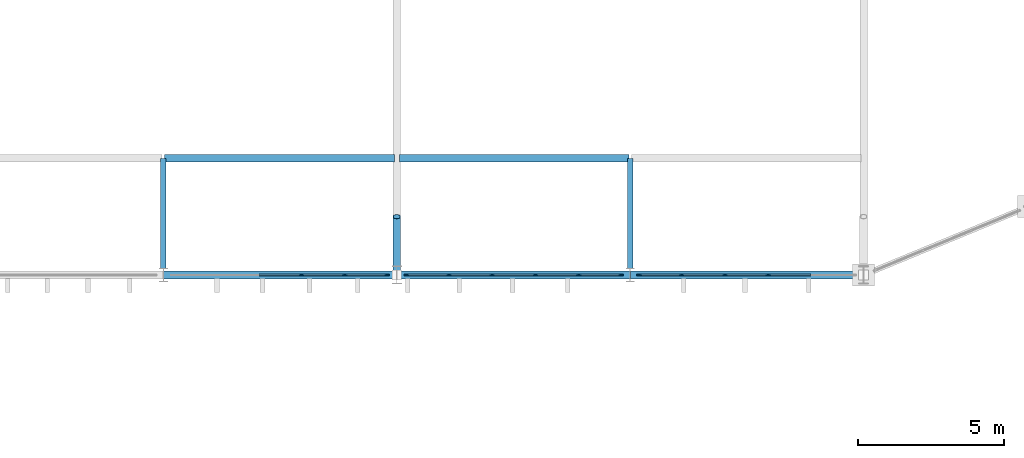
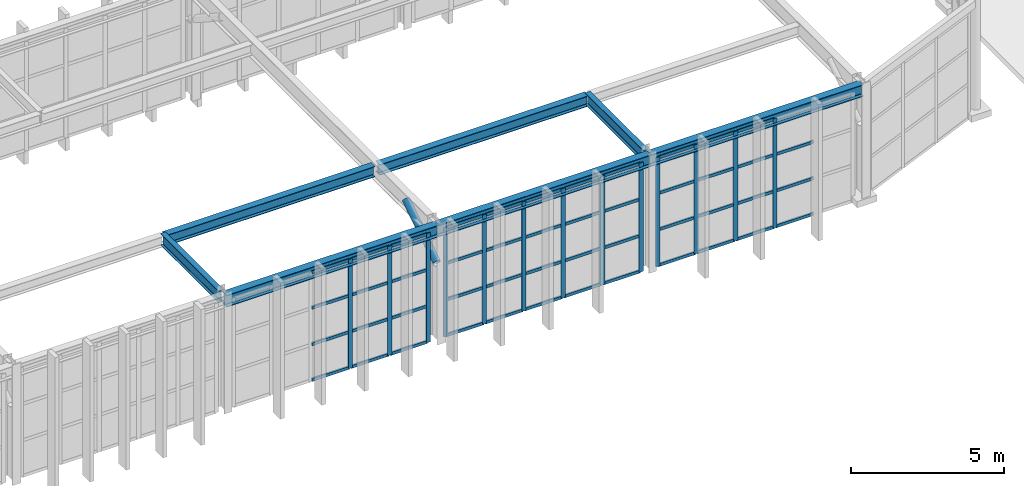
# One storey, part 30 of 61: 61 members, 7 beams, 3 elements without a shape of their own.
"""IFC4 building model written with IfcOpenShell, lengths in metres."""

from ifc_helpers import new_model, si_unit, direction, frame, origin, origin_2d, place, context, subcontext, project, spatial, rectangle, hollow_circle, i_section, extrude, material, material_profile, profile_set, type_object, element, aggregate, save


model = new_model("IFC4")

# Units and contexts
model_context = context("Model", 3, precision=1e-05, world=origin(), true_north=direction((0.0, 1.0)))
body_context = subcontext(model_context, "Body", "Model", "MODEL_VIEW")
ifc_project = project(units=[si_unit("LENGTHUNIT", "METRE"), si_unit("AREAUNIT", "SQUARE_METRE"), si_unit("VOLUMEUNIT", "CUBIC_METRE"), si_unit("PLANEANGLEUNIT", "RADIAN"), si_unit("MASSUNIT", "GRAM", prefix="KILO")], contexts=[model_context])

# Site, building, storey
site_placement = place(None, origin())
site = spatial("IfcSite", under=ifc_project, at=site_placement, CompositionType="ELEMENT")
building_placement = place(site_placement, origin())
building = spatial("IfcBuilding", under=site, at=building_placement, Name="Serraluz Foothill Cableway Terminal", CompositionType="ELEMENT")
storey_placement = place(building_placement, frame((0.0, 0.0, 15.0)))
storey = spatial("IfcBuildingStorey", under=building, at=storey_placement, Name="L03", CompositionType="ELEMENT", Elevation=15.0)

# Curtain wall, members
ifc_material_1 = material(Name="Architectural bronze alloy C28000", Category="aluminium")
curtain_wall_type_1 = type_object("IfcCurtainWallType", Name="TYP-CW-880X420", PredefinedType="NOTDEFINED", material=ifc_material_1)
curtain_wall_1_placement = place(storey_placement, origin())
curtain_wall_1 = element("IfcCurtainWall", 1, at=curtain_wall_1_placement, inside=storey, type_object=curtain_wall_type_1, Name="Ribbed Glazed Curtain Wall CW-V1S-L03-128", PredefinedType="NOTDEFINED")
ifc_material_profile_1 = material_profile(ifc_material_1, rectangle(XDim=0.06005859375, YDim=0.159912109375, at=origin_2d()), Name="ALU MULLION 60x160")
ifc_profile_set_1 = profile_set([ifc_material_profile_1], Name="Architectural bronze alloy C28000")
member_type_1 = type_object("IfcMemberType", Name="TYP-CW-MUL-60X160", PredefinedType="MULLION", material=ifc_profile_set_1)
member_1_placement = place(storey_placement, frame((135.66748046875, 56.0, 0.0), z_axis=(0.0, 0.0, 1.0), x_axis=(0.0, -1.0, 0.0)))
member_1 = element("IfcMember", 2, at=member_1_placement, type_object=member_type_1, Name="CW-19 mullion 1", PredefinedType="MULLION", context=body_context, shape_type="SweptSolid", body=[
    extrude(rectangle(XDim=0.06005859375, YDim=0.159912109375, at=origin_2d()), origin(), (0.0, 0.0, 1.0), 4.35009765625),
])
member_2_placement = place(storey_placement, frame((134.21435546875, 56.0, 0.0), z_axis=(0.0, 0.0, 1.0), x_axis=(0.0, -1.0, 0.0)))
member_2 = element("IfcMember", 3, at=member_2_placement, type_object=member_type_1, Name="CW-19 mullion 2", PredefinedType="MULLION", context=body_context, shape_type="SweptSolid", body=[
    extrude(rectangle(XDim=0.06005859375, YDim=0.159912109375, at=origin_2d()), origin(), (0.0, 0.0, 1.0), 4.35009765625),
])
member_3_placement = place(storey_placement, frame((132.731201171875, 56.0, 0.0), z_axis=(0.0, 0.0, 1.0), x_axis=(0.0, -1.0, 0.0)))
member_3 = element("IfcMember", 4, at=member_3_placement, type_object=member_type_1, Name="CW-19 mullion 3", PredefinedType="MULLION", context=body_context, shape_type="SweptSolid", body=[
    extrude(rectangle(XDim=0.06005859375, YDim=0.159912109375, at=origin_2d()), origin(), (0.0, 0.0, 1.0), 4.35009765625),
])

curtain_wall_type_2 = type_object("IfcCurtainWallType", Name="TYP-CW-920X440", PredefinedType="NOTDEFINED", material=ifc_material_1)
curtain_wall_2_placement = place(storey_placement, origin())
curtain_wall_2 = element("IfcCurtainWall", 5, at=curtain_wall_2_placement, inside=storey, type_object=curtain_wall_type_2, Name="Ribbed Glazed Curtain Wall CW-V1S-L03-136", PredefinedType="NOTDEFINED")
member_4_placement = place(storey_placement, frame((143.6884765625, 56.0, 0.0), z_axis=(0.0, 0.0, 1.0), x_axis=(0.0, -1.0, 0.0)))
member_4 = element("IfcMember", 6, at=member_4_placement, type_object=member_type_1, Name="CW-20 mullion 1", PredefinedType="MULLION", context=body_context, shape_type="SweptSolid", body=[
    extrude(rectangle(XDim=0.06005859375, YDim=0.159912109375, at=origin_2d()), origin(), (0.0, 0.0, 1.0), 4.35009765625),
])
member_5_placement = place(storey_placement, frame((142.2353515625, 56.0, 0.0), z_axis=(0.0, 0.0, 1.0), x_axis=(0.0, -1.0, 0.0)))
member_5 = element("IfcMember", 7, at=member_5_placement, type_object=member_type_1, Name="CW-20 mullion 2", PredefinedType="MULLION", context=body_context, shape_type="SweptSolid", body=[
    extrude(rectangle(XDim=0.06005859375, YDim=0.159912109375, at=origin_2d()), origin(), (0.0, 0.0, 1.0), 4.35009765625),
])
member_6_placement = place(storey_placement, frame((140.752197265625, 56.0, 0.0), z_axis=(0.0, 0.0, 1.0), x_axis=(0.0, -1.0, 0.0)))
member_6 = element("IfcMember", 8, at=member_6_placement, type_object=member_type_1, Name="CW-20 mullion 3", PredefinedType="MULLION", context=body_context, shape_type="SweptSolid", body=[
    extrude(rectangle(XDim=0.06005859375, YDim=0.159912109375, at=origin_2d()), origin(), (0.0, 0.0, 1.0), 4.35009765625),
])
member_7_placement = place(storey_placement, frame((139.268798828125, 56.0, 0.0), z_axis=(0.0, 0.0, 1.0), x_axis=(0.0, -1.0, 0.0)))
member_7 = element("IfcMember", 9, at=member_7_placement, type_object=member_type_1, Name="CW-20 mullion 4", PredefinedType="MULLION", context=body_context, shape_type="SweptSolid", body=[
    extrude(rectangle(XDim=0.06005859375, YDim=0.159912109375, at=origin_2d()), origin(), (0.0, 0.0, 1.0), 4.35009765625),
])
member_8_placement = place(storey_placement, frame((137.78564453125, 56.0, 0.0), z_axis=(0.0, 0.0, 1.0), x_axis=(0.0, -1.0, 0.0)))
member_8 = element("IfcMember", 10, at=member_8_placement, type_object=member_type_1, Name="CW-20 mullion 5", PredefinedType="MULLION", context=body_context, shape_type="SweptSolid", body=[
    extrude(rectangle(XDim=0.06005859375, YDim=0.159912109375, at=origin_2d()), origin(), (0.0, 0.0, 1.0), 4.35009765625),
])
member_9_placement = place(storey_placement, frame((136.33251953125, 56.0, 0.0), z_axis=(0.0, 0.0, 1.0), x_axis=(0.0, -1.0, 0.0)))
member_9 = element("IfcMember", 11, at=member_9_placement, type_object=member_type_1, Name="CW-20 mullion 6", PredefinedType="MULLION", context=body_context, shape_type="SweptSolid", body=[
    extrude(rectangle(XDim=0.06005859375, YDim=0.159912109375, at=origin_2d()), origin(), (0.0, 0.0, 1.0), 4.35009765625),
])

curtain_wall_type_3 = type_object("IfcCurtainWallType", Name="TYP-CW-1120X420", PredefinedType="NOTDEFINED", material=ifc_material_1)
curtain_wall_3_placement = place(storey_placement, origin())
curtain_wall_3 = element("IfcCurtainWall", 12, at=curtain_wall_3_placement, inside=storey, type_object=curtain_wall_type_3, Name="Ribbed Glazed Curtain Wall CW-V1S-L03-144", PredefinedType="NOTDEFINED")
member_10_placement = place(storey_placement, frame((148.731201171875, 56.0, 0.0), z_axis=(0.0, 0.0, 1.0), x_axis=(0.0, -1.0, 0.0)))
member_10 = element("IfcMember", 13, at=member_10_placement, type_object=member_type_1, Name="CW-21 mullion 3", PredefinedType="MULLION", context=body_context, shape_type="SweptSolid", body=[
    extrude(rectangle(XDim=0.06005859375, YDim=0.159912109375, at=origin_2d()), origin(), (0.0, 0.0, 1.0), 4.35009765625),
])
member_11_placement = place(storey_placement, frame((147.247802734375, 56.0, 0.0), z_axis=(0.0, 0.0, 1.0), x_axis=(0.0, -1.0, 0.0)))
member_11 = element("IfcMember", 14, at=member_11_placement, type_object=member_type_1, Name="CW-21 mullion 4", PredefinedType="MULLION", context=body_context, shape_type="SweptSolid", body=[
    extrude(rectangle(XDim=0.06005859375, YDim=0.159912109375, at=origin_2d()), origin(), (0.0, 0.0, 1.0), 4.35009765625),
])
member_12_placement = place(storey_placement, frame((145.7646484375, 56.0, 0.0), z_axis=(0.0, 0.0, 1.0), x_axis=(0.0, -1.0, 0.0)))
member_12 = element("IfcMember", 15, at=member_12_placement, type_object=member_type_1, Name="CW-21 mullion 5", PredefinedType="MULLION", context=body_context, shape_type="SweptSolid", body=[
    extrude(rectangle(XDim=0.06005859375, YDim=0.159912109375, at=origin_2d()), origin(), (0.0, 0.0, 1.0), 4.35009765625),
])
member_13_placement = place(storey_placement, frame((144.3115234375, 56.0, 0.0), z_axis=(0.0, 0.0, 1.0), x_axis=(0.0, -1.0, 0.0)))
member_13 = element("IfcMember", 16, at=member_13_placement, type_object=member_type_1, Name="CW-21 mullion 6", PredefinedType="MULLION", context=body_context, shape_type="SweptSolid", body=[
    extrude(rectangle(XDim=0.06005859375, YDim=0.159912109375, at=origin_2d()), origin(), (0.0, 0.0, 1.0), 4.35009765625),
])

# Member
ifc_material_profile_2 = material_profile(ifc_material_1, rectangle(XDim=0.06005859375, YDim=0.1201171875, at=origin_2d()), Name="ALU TRANSOM 60x120")
ifc_profile_set_2 = profile_set([ifc_material_profile_2], Name="Architectural bronze alloy C28000")
member_type_2 = type_object("IfcMemberType", Name="TYP-CW-TRN-60X120", PredefinedType="USERDEFINED", material=ifc_profile_set_2)
member_14_placement = place(storey_placement, frame((135.637451171875, 56.0, 0.030029296875), z_axis=(-1.0, 0.0, 0.0), x_axis=(0.0, -1.0, 0.0)))
member_14 = element("IfcMember", 17, at=member_14_placement, type_object=member_type_2, Name="CW-19 transom 1.1", ObjectType="TRANSOM", PredefinedType="USERDEFINED", context=body_context, shape_type="SweptSolid", body=[
    extrude(rectangle(XDim=0.06005859375, YDim=0.1201171875, at=origin_2d()), origin(), (0.0, 0.0, 1.0), 1.39306640625),
])

member_15_placement = place(storey_placement, frame((135.637451171875, 56.0, 1.449951171875), z_axis=(-1.0, 0.0, 0.0), x_axis=(0.0, -1.0, 0.0)))
member_15 = element("IfcMember", 18, at=member_15_placement, type_object=member_type_2, Name="CW-19 transom 1.2", ObjectType="TRANSOM", PredefinedType="USERDEFINED", context=body_context, shape_type="SweptSolid", body=[
    extrude(rectangle(XDim=0.06005859375, YDim=0.1201171875, at=origin_2d()), origin(), (0.0, 0.0, 1.0), 1.39306640625),
])

member_16_placement = place(storey_placement, frame((135.637451171875, 56.0, 2.89990234375), z_axis=(-1.0, 0.0, 0.0), x_axis=(0.0, -1.0, 0.0)))
member_16 = element("IfcMember", 19, at=member_16_placement, type_object=member_type_2, Name="CW-19 transom 1.3", ObjectType="TRANSOM", PredefinedType="USERDEFINED", context=body_context, shape_type="SweptSolid", body=[
    extrude(rectangle(XDim=0.06005859375, YDim=0.1201171875, at=origin_2d()), origin(), (0.0, 0.0, 1.0), 1.39306640625),
])

member_17_placement = place(storey_placement, frame((135.637451171875, 56.0, 4.320068359375), z_axis=(-1.0, 0.0, 0.0), x_axis=(0.0, -1.0, 0.0)))
member_17 = element("IfcMember", 20, at=member_17_placement, type_object=member_type_2, Name="CW-19 transom 1.4", ObjectType="TRANSOM", PredefinedType="USERDEFINED", context=body_context, shape_type="SweptSolid", body=[
    extrude(rectangle(XDim=0.06005859375, YDim=0.1201171875, at=origin_2d()), origin(), (0.0, 0.0, 1.0), 1.39306640625),
])

member_18_placement = place(storey_placement, frame((134.184326171875, 56.0, 0.030029296875), z_axis=(-1.0, 0.0, 0.0), x_axis=(0.0, -1.0, 0.0)))
member_18 = element("IfcMember", 21, at=member_18_placement, type_object=member_type_2, Name="CW-19 transom 2.1", ObjectType="TRANSOM", PredefinedType="USERDEFINED", context=body_context, shape_type="SweptSolid", body=[
    extrude(rectangle(XDim=0.06005859375, YDim=0.1201171875, at=origin_2d()), origin(), (0.0, 0.0, 1.0), 1.42333984375),
])

member_19_placement = place(storey_placement, frame((134.184326171875, 56.0, 1.449951171875), z_axis=(-1.0, 0.0, 0.0), x_axis=(0.0, -1.0, 0.0)))
member_19 = element("IfcMember", 22, at=member_19_placement, type_object=member_type_2, Name="CW-19 transom 2.2", ObjectType="TRANSOM", PredefinedType="USERDEFINED", context=body_context, shape_type="SweptSolid", body=[
    extrude(rectangle(XDim=0.06005859375, YDim=0.1201171875, at=origin_2d()), origin(), (0.0, 0.0, 1.0), 1.42333984375),
])

member_20_placement = place(storey_placement, frame((134.184326171875, 56.0, 2.89990234375), z_axis=(-1.0, 0.0, 0.0), x_axis=(0.0, -1.0, 0.0)))
member_20 = element("IfcMember", 23, at=member_20_placement, type_object=member_type_2, Name="CW-19 transom 2.3", ObjectType="TRANSOM", PredefinedType="USERDEFINED", context=body_context, shape_type="SweptSolid", body=[
    extrude(rectangle(XDim=0.06005859375, YDim=0.1201171875, at=origin_2d()), origin(), (0.0, 0.0, 1.0), 1.42333984375),
])

member_21_placement = place(storey_placement, frame((134.184326171875, 56.0, 4.320068359375), z_axis=(-1.0, 0.0, 0.0), x_axis=(0.0, -1.0, 0.0)))
member_21 = element("IfcMember", 24, at=member_21_placement, type_object=member_type_2, Name="CW-19 transom 2.4", ObjectType="TRANSOM", PredefinedType="USERDEFINED", context=body_context, shape_type="SweptSolid", body=[
    extrude(rectangle(XDim=0.06005859375, YDim=0.1201171875, at=origin_2d()), origin(), (0.0, 0.0, 1.0), 1.42333984375),
])

member_22_placement = place(storey_placement, frame((132.701171875, 56.0, 0.030029296875), z_axis=(-1.0, 0.0, 0.0), x_axis=(0.0, -1.0, 0.0)))
member_22 = element("IfcMember", 25, at=member_22_placement, type_object=member_type_2, Name="CW-19 transom 3.1", ObjectType="TRANSOM", PredefinedType="USERDEFINED", context=body_context, shape_type="SweptSolid", body=[
    extrude(rectangle(XDim=0.06005859375, YDim=0.1201171875, at=origin_2d()), origin(), (0.0, 0.0, 1.0), 1.42333984375),
])

member_23_placement = place(storey_placement, frame((132.701171875, 56.0, 1.449951171875), z_axis=(-1.0, 0.0, 0.0), x_axis=(0.0, -1.0, 0.0)))
member_23 = element("IfcMember", 26, at=member_23_placement, type_object=member_type_2, Name="CW-19 transom 3.2", ObjectType="TRANSOM", PredefinedType="USERDEFINED", context=body_context, shape_type="SweptSolid", body=[
    extrude(rectangle(XDim=0.06005859375, YDim=0.1201171875, at=origin_2d()), origin(), (0.0, 0.0, 1.0), 1.42333984375),
])

member_24_placement = place(storey_placement, frame((132.701171875, 56.0, 2.89990234375), z_axis=(-1.0, 0.0, 0.0), x_axis=(0.0, -1.0, 0.0)))
member_24 = element("IfcMember", 27, at=member_24_placement, type_object=member_type_2, Name="CW-19 transom 3.3", ObjectType="TRANSOM", PredefinedType="USERDEFINED", context=body_context, shape_type="SweptSolid", body=[
    extrude(rectangle(XDim=0.06005859375, YDim=0.1201171875, at=origin_2d()), origin(), (0.0, 0.0, 1.0), 1.42333984375),
])

member_25_placement = place(storey_placement, frame((132.701171875, 56.0, 4.320068359375), z_axis=(-1.0, 0.0, 0.0), x_axis=(0.0, -1.0, 0.0)))
member_25 = element("IfcMember", 28, at=member_25_placement, type_object=member_type_2, Name="CW-19 transom 3.4", ObjectType="TRANSOM", PredefinedType="USERDEFINED", context=body_context, shape_type="SweptSolid", body=[
    extrude(rectangle(XDim=0.06005859375, YDim=0.1201171875, at=origin_2d()), origin(), (0.0, 0.0, 1.0), 1.42333984375),
])

aggregate(curtain_wall_1, [member_1, member_2, member_3, member_14, member_15, member_16, member_17, member_18, member_19, member_20, member_21, member_22, member_23, member_24, member_25])

member_26_placement = place(storey_placement, frame((143.658447265625, 56.0, 0.030029296875), z_axis=(-1.0, 0.0, 0.0), x_axis=(0.0, -1.0, 0.0)))
member_26 = element("IfcMember", 29, at=member_26_placement, type_object=member_type_2, Name="CW-20 transom 1.1", ObjectType="TRANSOM", PredefinedType="USERDEFINED", context=body_context, shape_type="SweptSolid", body=[
    extrude(rectangle(XDim=0.06005859375, YDim=0.1201171875, at=origin_2d()), origin(), (0.0, 0.0, 1.0), 1.39306640625),
])

member_27_placement = place(storey_placement, frame((143.658447265625, 56.0, 1.449951171875), z_axis=(-1.0, 0.0, 0.0), x_axis=(0.0, -1.0, 0.0)))
member_27 = element("IfcMember", 30, at=member_27_placement, type_object=member_type_2, Name="CW-20 transom 1.2", ObjectType="TRANSOM", PredefinedType="USERDEFINED", context=body_context, shape_type="SweptSolid", body=[
    extrude(rectangle(XDim=0.06005859375, YDim=0.1201171875, at=origin_2d()), origin(), (0.0, 0.0, 1.0), 1.39306640625),
])

member_28_placement = place(storey_placement, frame((143.658447265625, 56.0, 2.89990234375), z_axis=(-1.0, 0.0, 0.0), x_axis=(0.0, -1.0, 0.0)))
member_28 = element("IfcMember", 31, at=member_28_placement, type_object=member_type_2, Name="CW-20 transom 1.3", ObjectType="TRANSOM", PredefinedType="USERDEFINED", context=body_context, shape_type="SweptSolid", body=[
    extrude(rectangle(XDim=0.06005859375, YDim=0.1201171875, at=origin_2d()), origin(), (0.0, 0.0, 1.0), 1.39306640625),
])

member_29_placement = place(storey_placement, frame((143.658447265625, 56.0, 4.320068359375), z_axis=(-1.0, 0.0, 0.0), x_axis=(0.0, -1.0, 0.0)))
member_29 = element("IfcMember", 32, at=member_29_placement, type_object=member_type_2, Name="CW-20 transom 1.4", ObjectType="TRANSOM", PredefinedType="USERDEFINED", context=body_context, shape_type="SweptSolid", body=[
    extrude(rectangle(XDim=0.06005859375, YDim=0.1201171875, at=origin_2d()), origin(), (0.0, 0.0, 1.0), 1.39306640625),
])

member_30_placement = place(storey_placement, frame((142.205322265625, 56.0, 0.030029296875), z_axis=(-1.0, 0.0, 0.0), x_axis=(0.0, -1.0, 0.0)))
member_30 = element("IfcMember", 33, at=member_30_placement, type_object=member_type_2, Name="CW-20 transom 2.1", ObjectType="TRANSOM", PredefinedType="USERDEFINED", context=body_context, shape_type="SweptSolid", body=[
    extrude(rectangle(XDim=0.06005859375, YDim=0.1201171875, at=origin_2d()), origin(), (0.0, 0.0, 1.0), 1.42333984375),
])

member_31_placement = place(storey_placement, frame((142.205322265625, 56.0, 1.449951171875), z_axis=(-1.0, 0.0, 0.0), x_axis=(0.0, -1.0, 0.0)))
member_31 = element("IfcMember", 34, at=member_31_placement, type_object=member_type_2, Name="CW-20 transom 2.2", ObjectType="TRANSOM", PredefinedType="USERDEFINED", context=body_context, shape_type="SweptSolid", body=[
    extrude(rectangle(XDim=0.06005859375, YDim=0.1201171875, at=origin_2d()), origin(), (0.0, 0.0, 1.0), 1.42333984375),
])

member_32_placement = place(storey_placement, frame((142.205322265625, 56.0, 2.89990234375), z_axis=(-1.0, 0.0, 0.0), x_axis=(0.0, -1.0, 0.0)))
member_32 = element("IfcMember", 35, at=member_32_placement, type_object=member_type_2, Name="CW-20 transom 2.3", ObjectType="TRANSOM", PredefinedType="USERDEFINED", context=body_context, shape_type="SweptSolid", body=[
    extrude(rectangle(XDim=0.06005859375, YDim=0.1201171875, at=origin_2d()), origin(), (0.0, 0.0, 1.0), 1.42333984375),
])

member_33_placement = place(storey_placement, frame((142.205322265625, 56.0, 4.320068359375), z_axis=(-1.0, 0.0, 0.0), x_axis=(0.0, -1.0, 0.0)))
member_33 = element("IfcMember", 36, at=member_33_placement, type_object=member_type_2, Name="CW-20 transom 2.4", ObjectType="TRANSOM", PredefinedType="USERDEFINED", context=body_context, shape_type="SweptSolid", body=[
    extrude(rectangle(XDim=0.06005859375, YDim=0.1201171875, at=origin_2d()), origin(), (0.0, 0.0, 1.0), 1.42333984375),
])

member_34_placement = place(storey_placement, frame((140.72216796875, 56.0, 0.030029296875), z_axis=(-1.0, 0.0, 0.0), x_axis=(0.0, -1.0, 0.0)))
member_34 = element("IfcMember", 37, at=member_34_placement, type_object=member_type_2, Name="CW-20 transom 3.1", ObjectType="TRANSOM", PredefinedType="USERDEFINED", context=body_context, shape_type="SweptSolid", body=[
    extrude(rectangle(XDim=0.06005859375, YDim=0.1201171875, at=origin_2d()), origin(), (0.0, 0.0, 1.0), 1.42333984375),
])

member_35_placement = place(storey_placement, frame((140.72216796875, 56.0, 1.449951171875), z_axis=(-1.0, 0.0, 0.0), x_axis=(0.0, -1.0, 0.0)))
member_35 = element("IfcMember", 38, at=member_35_placement, type_object=member_type_2, Name="CW-20 transom 3.2", ObjectType="TRANSOM", PredefinedType="USERDEFINED", context=body_context, shape_type="SweptSolid", body=[
    extrude(rectangle(XDim=0.06005859375, YDim=0.1201171875, at=origin_2d()), origin(), (0.0, 0.0, 1.0), 1.42333984375),
])

member_36_placement = place(storey_placement, frame((140.72216796875, 56.0, 2.89990234375), z_axis=(-1.0, 0.0, 0.0), x_axis=(0.0, -1.0, 0.0)))
member_36 = element("IfcMember", 39, at=member_36_placement, type_object=member_type_2, Name="CW-20 transom 3.3", ObjectType="TRANSOM", PredefinedType="USERDEFINED", context=body_context, shape_type="SweptSolid", body=[
    extrude(rectangle(XDim=0.06005859375, YDim=0.1201171875, at=origin_2d()), origin(), (0.0, 0.0, 1.0), 1.42333984375),
])

member_37_placement = place(storey_placement, frame((140.72216796875, 56.0, 4.320068359375), z_axis=(-1.0, 0.0, 0.0), x_axis=(0.0, -1.0, 0.0)))
member_37 = element("IfcMember", 40, at=member_37_placement, type_object=member_type_2, Name="CW-20 transom 3.4", ObjectType="TRANSOM", PredefinedType="USERDEFINED", context=body_context, shape_type="SweptSolid", body=[
    extrude(rectangle(XDim=0.06005859375, YDim=0.1201171875, at=origin_2d()), origin(), (0.0, 0.0, 1.0), 1.42333984375),
])

member_38_placement = place(storey_placement, frame((139.239013671875, 56.0, 0.030029296875), z_axis=(-1.0, 0.0, 0.0), x_axis=(0.0, -1.0, 0.0)))
member_38 = element("IfcMember", 41, at=member_38_placement, type_object=member_type_2, Name="CW-20 transom 4.1", ObjectType="TRANSOM", PredefinedType="USERDEFINED", context=body_context, shape_type="SweptSolid", body=[
    extrude(rectangle(XDim=0.06005859375, YDim=0.1201171875, at=origin_2d()), origin(), (0.0, 0.0, 1.0), 1.42333984375),
])

member_39_placement = place(storey_placement, frame((139.239013671875, 56.0, 1.449951171875), z_axis=(-1.0, 0.0, 0.0), x_axis=(0.0, -1.0, 0.0)))
member_39 = element("IfcMember", 42, at=member_39_placement, type_object=member_type_2, Name="CW-20 transom 4.2", ObjectType="TRANSOM", PredefinedType="USERDEFINED", context=body_context, shape_type="SweptSolid", body=[
    extrude(rectangle(XDim=0.06005859375, YDim=0.1201171875, at=origin_2d()), origin(), (0.0, 0.0, 1.0), 1.42333984375),
])

member_40_placement = place(storey_placement, frame((139.239013671875, 56.0, 2.89990234375), z_axis=(-1.0, 0.0, 0.0), x_axis=(0.0, -1.0, 0.0)))
member_40 = element("IfcMember", 43, at=member_40_placement, type_object=member_type_2, Name="CW-20 transom 4.3", ObjectType="TRANSOM", PredefinedType="USERDEFINED", context=body_context, shape_type="SweptSolid", body=[
    extrude(rectangle(XDim=0.06005859375, YDim=0.1201171875, at=origin_2d()), origin(), (0.0, 0.0, 1.0), 1.42333984375),
])

member_41_placement = place(storey_placement, frame((139.239013671875, 56.0, 4.320068359375), z_axis=(-1.0, 0.0, 0.0), x_axis=(0.0, -1.0, 0.0)))
member_41 = element("IfcMember", 44, at=member_41_placement, type_object=member_type_2, Name="CW-20 transom 4.4", ObjectType="TRANSOM", PredefinedType="USERDEFINED", context=body_context, shape_type="SweptSolid", body=[
    extrude(rectangle(XDim=0.06005859375, YDim=0.1201171875, at=origin_2d()), origin(), (0.0, 0.0, 1.0), 1.42333984375),
])

member_42_placement = place(storey_placement, frame((137.755615234375, 56.0, 0.030029296875), z_axis=(-1.0, 0.0, 0.0), x_axis=(0.0, -1.0, 0.0)))
member_42 = element("IfcMember", 45, at=member_42_placement, type_object=member_type_2, Name="CW-20 transom 5.1", ObjectType="TRANSOM", PredefinedType="USERDEFINED", context=body_context, shape_type="SweptSolid", body=[
    extrude(rectangle(XDim=0.06005859375, YDim=0.1201171875, at=origin_2d()), origin(), (0.0, 0.0, 1.0), 1.39306640625),
])

member_43_placement = place(storey_placement, frame((137.755615234375, 56.0, 1.449951171875), z_axis=(-1.0, 0.0, 0.0), x_axis=(0.0, -1.0, 0.0)))
member_43 = element("IfcMember", 46, at=member_43_placement, type_object=member_type_2, Name="CW-20 transom 5.2", ObjectType="TRANSOM", PredefinedType="USERDEFINED", context=body_context, shape_type="SweptSolid", body=[
    extrude(rectangle(XDim=0.06005859375, YDim=0.1201171875, at=origin_2d()), origin(), (0.0, 0.0, 1.0), 1.39306640625),
])

member_44_placement = place(storey_placement, frame((137.755615234375, 56.0, 2.89990234375), z_axis=(-1.0, 0.0, 0.0), x_axis=(0.0, -1.0, 0.0)))
member_44 = element("IfcMember", 47, at=member_44_placement, type_object=member_type_2, Name="CW-20 transom 5.3", ObjectType="TRANSOM", PredefinedType="USERDEFINED", context=body_context, shape_type="SweptSolid", body=[
    extrude(rectangle(XDim=0.06005859375, YDim=0.1201171875, at=origin_2d()), origin(), (0.0, 0.0, 1.0), 1.39306640625),
])

member_45_placement = place(storey_placement, frame((137.755615234375, 56.0, 4.320068359375), z_axis=(-1.0, 0.0, 0.0), x_axis=(0.0, -1.0, 0.0)))
member_45 = element("IfcMember", 48, at=member_45_placement, type_object=member_type_2, Name="CW-20 transom 5.4", ObjectType="TRANSOM", PredefinedType="USERDEFINED", context=body_context, shape_type="SweptSolid", body=[
    extrude(rectangle(XDim=0.06005859375, YDim=0.1201171875, at=origin_2d()), origin(), (0.0, 0.0, 1.0), 1.39306640625),
])

aggregate(curtain_wall_2, [member_4, member_5, member_6, member_7, member_8, member_9, member_26, member_27, member_28, member_29, member_30, member_31, member_32, member_33, member_34, member_35, member_36, member_37, member_38, member_39, member_40, member_41, member_42, member_43, member_44, member_45])

member_46_placement = place(storey_placement, frame((150.184326171875, 56.0, 0.030029296875), z_axis=(-1.0, 0.0, 0.0), x_axis=(0.0, -1.0, 0.0)))
member_46 = element("IfcMember", 49, at=member_46_placement, type_object=member_type_2, Name="CW-21 transom 2.1", ObjectType="TRANSOM", PredefinedType="USERDEFINED", context=body_context, shape_type="SweptSolid", body=[
    extrude(rectangle(XDim=0.06005859375, YDim=0.1201171875, at=origin_2d()), origin(), (0.0, 0.0, 1.0), 1.42333984375),
])

member_47_placement = place(storey_placement, frame((150.184326171875, 56.0, 1.449951171875), z_axis=(-1.0, 0.0, 0.0), x_axis=(0.0, -1.0, 0.0)))
member_47 = element("IfcMember", 50, at=member_47_placement, type_object=member_type_2, Name="CW-21 transom 2.2", ObjectType="TRANSOM", PredefinedType="USERDEFINED", context=body_context, shape_type="SweptSolid", body=[
    extrude(rectangle(XDim=0.06005859375, YDim=0.1201171875, at=origin_2d()), origin(), (0.0, 0.0, 1.0), 1.42333984375),
])

member_48_placement = place(storey_placement, frame((150.184326171875, 56.0, 2.89990234375), z_axis=(-1.0, 0.0, 0.0), x_axis=(0.0, -1.0, 0.0)))
member_48 = element("IfcMember", 51, at=member_48_placement, type_object=member_type_2, Name="CW-21 transom 2.3", ObjectType="TRANSOM", PredefinedType="USERDEFINED", context=body_context, shape_type="SweptSolid", body=[
    extrude(rectangle(XDim=0.06005859375, YDim=0.1201171875, at=origin_2d()), origin(), (0.0, 0.0, 1.0), 1.42333984375),
])

member_49_placement = place(storey_placement, frame((148.701171875, 56.0, 0.030029296875), z_axis=(-1.0, 0.0, 0.0), x_axis=(0.0, -1.0, 0.0)))
member_49 = element("IfcMember", 52, at=member_49_placement, type_object=member_type_2, Name="CW-21 transom 3.1", ObjectType="TRANSOM", PredefinedType="USERDEFINED", context=body_context, shape_type="SweptSolid", body=[
    extrude(rectangle(XDim=0.06005859375, YDim=0.1201171875, at=origin_2d()), origin(), (0.0, 0.0, 1.0), 1.42333984375),
])

member_50_placement = place(storey_placement, frame((148.701171875, 56.0, 1.449951171875), z_axis=(-1.0, 0.0, 0.0), x_axis=(0.0, -1.0, 0.0)))
member_50 = element("IfcMember", 53, at=member_50_placement, type_object=member_type_2, Name="CW-21 transom 3.2", ObjectType="TRANSOM", PredefinedType="USERDEFINED", context=body_context, shape_type="SweptSolid", body=[
    extrude(rectangle(XDim=0.06005859375, YDim=0.1201171875, at=origin_2d()), origin(), (0.0, 0.0, 1.0), 1.42333984375),
])

member_51_placement = place(storey_placement, frame((148.701171875, 56.0, 2.89990234375), z_axis=(-1.0, 0.0, 0.0), x_axis=(0.0, -1.0, 0.0)))
member_51 = element("IfcMember", 54, at=member_51_placement, type_object=member_type_2, Name="CW-21 transom 3.3", ObjectType="TRANSOM", PredefinedType="USERDEFINED", context=body_context, shape_type="SweptSolid", body=[
    extrude(rectangle(XDim=0.06005859375, YDim=0.1201171875, at=origin_2d()), origin(), (0.0, 0.0, 1.0), 1.42333984375),
])

member_52_placement = place(storey_placement, frame((148.701171875, 56.0, 4.320068359375), z_axis=(-1.0, 0.0, 0.0), x_axis=(0.0, -1.0, 0.0)))
member_52 = element("IfcMember", 55, at=member_52_placement, type_object=member_type_2, Name="CW-21 transom 3.4", ObjectType="TRANSOM", PredefinedType="USERDEFINED", context=body_context, shape_type="SweptSolid", body=[
    extrude(rectangle(XDim=0.06005859375, YDim=0.1201171875, at=origin_2d()), origin(), (0.0, 0.0, 1.0), 1.42333984375),
])

member_53_placement = place(storey_placement, frame((147.218017578125, 56.0, 0.030029296875), z_axis=(-1.0, 0.0, 0.0), x_axis=(0.0, -1.0, 0.0)))
member_53 = element("IfcMember", 56, at=member_53_placement, type_object=member_type_2, Name="CW-21 transom 4.1", ObjectType="TRANSOM", PredefinedType="USERDEFINED", context=body_context, shape_type="SweptSolid", body=[
    extrude(rectangle(XDim=0.06005859375, YDim=0.1201171875, at=origin_2d()), origin(), (0.0, 0.0, 1.0), 1.42333984375),
])

member_54_placement = place(storey_placement, frame((147.218017578125, 56.0, 1.449951171875), z_axis=(-1.0, 0.0, 0.0), x_axis=(0.0, -1.0, 0.0)))
member_54 = element("IfcMember", 57, at=member_54_placement, type_object=member_type_2, Name="CW-21 transom 4.2", ObjectType="TRANSOM", PredefinedType="USERDEFINED", context=body_context, shape_type="SweptSolid", body=[
    extrude(rectangle(XDim=0.06005859375, YDim=0.1201171875, at=origin_2d()), origin(), (0.0, 0.0, 1.0), 1.42333984375),
])

member_55_placement = place(storey_placement, frame((147.218017578125, 56.0, 2.89990234375), z_axis=(-1.0, 0.0, 0.0), x_axis=(0.0, -1.0, 0.0)))
member_55 = element("IfcMember", 58, at=member_55_placement, type_object=member_type_2, Name="CW-21 transom 4.3", ObjectType="TRANSOM", PredefinedType="USERDEFINED", context=body_context, shape_type="SweptSolid", body=[
    extrude(rectangle(XDim=0.06005859375, YDim=0.1201171875, at=origin_2d()), origin(), (0.0, 0.0, 1.0), 1.42333984375),
])

member_56_placement = place(storey_placement, frame((147.218017578125, 56.0, 4.320068359375), z_axis=(-1.0, 0.0, 0.0), x_axis=(0.0, -1.0, 0.0)))
member_56 = element("IfcMember", 59, at=member_56_placement, type_object=member_type_2, Name="CW-21 transom 4.4", ObjectType="TRANSOM", PredefinedType="USERDEFINED", context=body_context, shape_type="SweptSolid", body=[
    extrude(rectangle(XDim=0.06005859375, YDim=0.1201171875, at=origin_2d()), origin(), (0.0, 0.0, 1.0), 1.42333984375),
])

member_57_placement = place(storey_placement, frame((145.734619140625, 56.0, 0.030029296875), z_axis=(-1.0, 0.0, 0.0), x_axis=(0.0, -1.0, 0.0)))
member_57 = element("IfcMember", 60, at=member_57_placement, type_object=member_type_2, Name="CW-21 transom 5.1", ObjectType="TRANSOM", PredefinedType="USERDEFINED", context=body_context, shape_type="SweptSolid", body=[
    extrude(rectangle(XDim=0.06005859375, YDim=0.1201171875, at=origin_2d()), origin(), (0.0, 0.0, 1.0), 1.39306640625),
])

member_58_placement = place(storey_placement, frame((145.734619140625, 56.0, 1.449951171875), z_axis=(-1.0, 0.0, 0.0), x_axis=(0.0, -1.0, 0.0)))
member_58 = element("IfcMember", 61, at=member_58_placement, type_object=member_type_2, Name="CW-21 transom 5.2", ObjectType="TRANSOM", PredefinedType="USERDEFINED", context=body_context, shape_type="SweptSolid", body=[
    extrude(rectangle(XDim=0.06005859375, YDim=0.1201171875, at=origin_2d()), origin(), (0.0, 0.0, 1.0), 1.39306640625),
])

member_59_placement = place(storey_placement, frame((145.734619140625, 56.0, 2.89990234375), z_axis=(-1.0, 0.0, 0.0), x_axis=(0.0, -1.0, 0.0)))
member_59 = element("IfcMember", 62, at=member_59_placement, type_object=member_type_2, Name="CW-21 transom 5.3", ObjectType="TRANSOM", PredefinedType="USERDEFINED", context=body_context, shape_type="SweptSolid", body=[
    extrude(rectangle(XDim=0.06005859375, YDim=0.1201171875, at=origin_2d()), origin(), (0.0, 0.0, 1.0), 1.39306640625),
])

member_60_placement = place(storey_placement, frame((145.734619140625, 56.0, 4.320068359375), z_axis=(-1.0, 0.0, 0.0), x_axis=(0.0, -1.0, 0.0)))
member_60 = element("IfcMember", 63, at=member_60_placement, type_object=member_type_2, Name="CW-21 transom 5.4", ObjectType="TRANSOM", PredefinedType="USERDEFINED", context=body_context, shape_type="SweptSolid", body=[
    extrude(rectangle(XDim=0.06005859375, YDim=0.1201171875, at=origin_2d()), origin(), (0.0, 0.0, 1.0), 1.39306640625),
])

aggregate(curtain_wall_3, [member_10, member_11, member_12, member_13, member_46, member_47, member_48, member_49, member_50, member_51, member_52, member_53, member_54, member_55, member_56, member_57, member_58, member_59, member_60])

# Beams
ifc_material_2 = material(Name="Steel ASTM A992 Grade 50", Category="steel")
ifc_material_profile_3 = material_profile(ifc_material_2, i_section(OverallWidth=0.260009765625, OverallDepth=0.4189453125, WebThickness=0.01171875, FlangeThickness=0.019287109375, FilletRadius=0.013916015625, at=origin_2d()), Name="W16X77")
ifc_profile_set_3 = profile_set([ifc_material_profile_3], Name="Steel ASTM A992 Grade 50")
beam_type_1 = type_object("IfcBeamType", Name="TYP-JS-W16X77", PredefinedType="JOIST", material=ifc_profile_set_3)
for number, where, z_axis, x_axis, name in (
    (64, (128.0400390625, 60.0, 4.35009765625), (1.0, 0.0, 0.0), (0.0, 1.0, 0.0), "Eaves Gallery Support Beam 128-60"),
    (65, (136.0849609375, 60.0, 4.35009765625), (1.0, 0.0, 0.0), (0.0, 1.0, 0.0), "Eaves Gallery Support Beam 136-60"),
):
    element("IfcBeam", number, at=place(storey_placement, frame(where, z_axis=z_axis, x_axis=x_axis)), inside=storey, type_object=beam_type_1, Name=name, PredefinedType="JOIST", context=body_context, shape_type="SweptSolid", body=[
        extrude(i_section(OverallWidth=0.260009765625, OverallDepth=0.4189453125, WebThickness=0.01171875, FlangeThickness=0.019287109375, FilletRadius=0.013916015625, at=origin_2d()), origin(), (0.0, 0.0, 1.0), 7.875),
    ])
ifc_material_profile_4 = material_profile(ifc_material_2, i_section(OverallWidth=0.193115234375, OverallDepth=0.467041015625, WebThickness=0.011474609375, FlangeThickness=0.01904296875, FilletRadius=0.014892578125, at=origin_2d()), Name="W18X65")
ifc_profile_set_4 = profile_set([ifc_material_profile_4], Name="Steel ASTM A992 Grade 50")
beam_type_2 = type_object("IfcBeamType", Name="TYP-JS-W18X65", PredefinedType="JOIST", material=ifc_profile_set_4)
for number, where, z_axis, x_axis, name in (
    (66, (128.0, 56.199951171875, 4.3798828125), (0.0, 1.0, 0.0), (-1.0, 0.0, 0.0), "Eaves Gallery Bracket Tie 128-56"),
    (67, (144.0, 56.199951171875, 4.3798828125), (0.0, 1.0, 0.0), (-1.0, 0.0, 0.0), "Eaves Gallery Bracket Tie 144-56"),
):
    element("IfcBeam", number, at=place(storey_placement, frame(where, z_axis=z_axis, x_axis=x_axis)), inside=storey, type_object=beam_type_2, Name=name, PredefinedType="JOIST", context=body_context, shape_type="SweptSolid", body=[
        extrude(i_section(OverallWidth=0.193115234375, OverallDepth=0.467041015625, WebThickness=0.011474609375, FlangeThickness=0.01904296875, FilletRadius=0.014892578125, at=origin_2d()), origin(), (0.0, 0.0, 1.0), 3.800048828125),
    ])
ifc_material_profile_5 = material_profile(ifc_material_2, i_section(OverallWidth=0.282958984375, OverallDepth=0.471923828125, WebThickness=0.013671875, FlangeThickness=0.022216796875, FilletRadius=0.014892578125, at=origin_2d()), Name="W18X97")
ifc_profile_set_5 = profile_set([ifc_material_profile_5], Name="Steel ASTM A992 Grade 50")
beam_type_3 = type_object("IfcBeamType", Name="TYP-SP-W18X97", PredefinedType="SPANDREL", material=ifc_profile_set_5)
for number, where, z_axis, x_axis, name in (
    (68, (128.0048828125, 56.0, 4.384033203125), (1.0, 0.0, 0.0), (0.0, 1.0, 0.0), "Primary Girder BM-X-L03-0359"),
    (69, (136.0048828125, 56.0, 4.384033203125), (1.0, 0.0, 0.0), (0.0, 1.0, 0.0), "Primary Girder BM-X-L03-0360"),
    (70, (144.0048828125, 56.0, 4.384033203125), (1.0, 0.0, 0.0), (0.0, 1.0, 0.0), "Primary Girder BM-X-L03-0361"),
):
    element("IfcBeam", number, at=place(storey_placement, frame(where, z_axis=z_axis, x_axis=x_axis)), inside=storey, type_object=beam_type_3, Name=name, PredefinedType="SPANDREL", context=body_context, shape_type="SweptSolid", body=[
        extrude(i_section(OverallWidth=0.282958984375, OverallDepth=0.471923828125, WebThickness=0.013671875, FlangeThickness=0.022216796875, FilletRadius=0.014892578125, at=origin_2d()), origin(), (0.0, 0.0, 1.0), 7.990234375),
    ])

# Member
ifc_material_3 = material(Name="Steel ASTM A572 Grade 50", Category="steel")
ifc_material_profile_6 = material_profile(ifc_material_3, hollow_circle(Radius=0.136474609375, WallThickness=0.011962890625, at=origin_2d()), Name="CHS273X12")
ifc_profile_set_6 = profile_set([ifc_material_profile_6], Name="Steel ASTM A572 Grade 50")
member_type_3 = type_object("IfcMemberType", Name="TYP-ST-CHS273", PredefinedType="STRUT", material=ifc_profile_set_6)
member_61_placement = place(storey_placement, frame((136.0, 56.0, 3.050048828125), z_axis=(0.0, 0.838434262763, 0.545002740383), x_axis=(-1.0, 0.0, 0.0)))
element("IfcMember", 71, at=member_61_placement, inside=storey, type_object=member_type_3, Name="Portal Knee Strut STRUT-TR-07-S", PredefinedType="STRUT", context=body_context, shape_type="SweptSolid", body=[
    extrude(hollow_circle(Radius=0.136474609375, WallThickness=0.011962890625, at=origin_2d()), origin(), (0.0, 0.0, 1.0), 2.385498046875),
])

save(model, "model.ifc")
